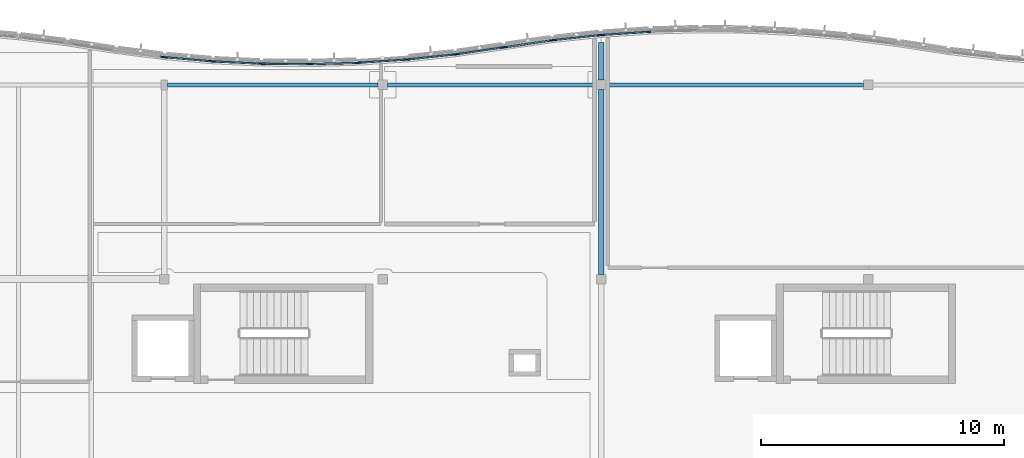
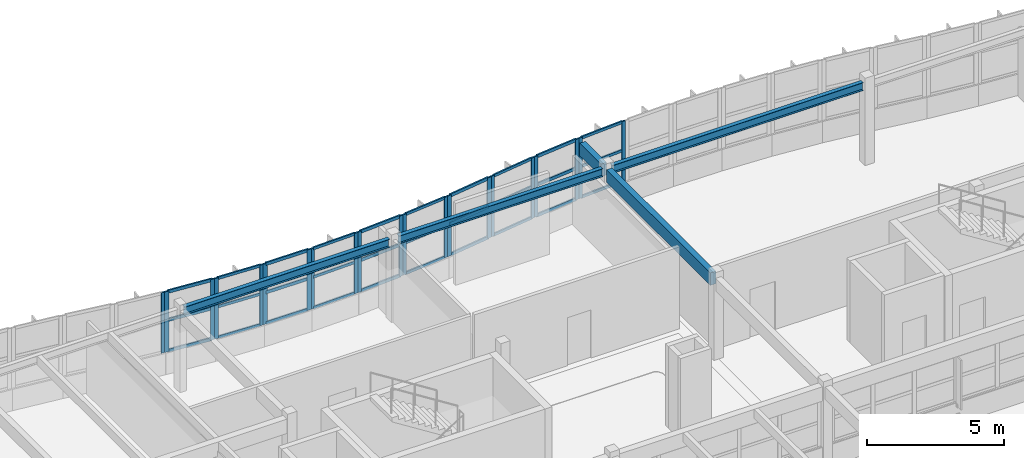
# One storey, part 22 of 63: 51 members, 5 beams, 11 elements without a shape of their own.
"""IFC4 building model written with IfcOpenShell, lengths in metres."""

from ifc_helpers import new_model, si_unit, direction, frame, origin, origin_2d, place, context, subcontext, project, spatial, rectangle, i_section, extrude, material, layer, layer_set, material_profile, profile_set, type_object, element, aggregate, save


model = new_model("IFC4")

# Units and contexts
model_context = context("Model", 3, precision=1e-05, world=origin(), true_north=direction((0.0, 1.0)))
body_context = subcontext(model_context, "Body", "Model", "MODEL_VIEW")
ifc_project = project(units=[si_unit("LENGTHUNIT", "METRE"), si_unit("AREAUNIT", "SQUARE_METRE"), si_unit("VOLUMEUNIT", "CUBIC_METRE"), si_unit("PLANEANGLEUNIT", "RADIAN"), si_unit("MASSUNIT", "GRAM", prefix="KILO")], contexts=[model_context])

# Site, building, storey
site_placement = place(None, origin())
site = spatial("IfcSite", under=ifc_project, at=site_placement, CompositionType="ELEMENT")
building_placement = place(site_placement, origin())
building = spatial("IfcBuilding", under=site, at=building_placement, Name="Tonlespit Floodbar School", CompositionType="ELEMENT")
storey_placement = place(building_placement, frame((0.0, 0.0, 8.39990234375)))
storey = spatial("IfcBuildingStorey", under=building, at=storey_placement, Name="L02", CompositionType="ELEMENT", Elevation=8.39990234375)

# Beams
ifc_material_1 = material(Name="Glulam GL28h", Category="wood")
ifc_material_profile_1 = material_profile(ifc_material_1, rectangle(XDim=0.239990234375, YDim=0.56005859375, at=origin_2d()), Name="GL 240x560")
ifc_profile_set_1 = profile_set([ifc_material_profile_1], Name="Glulam GL28h")
beam_type_1 = type_object("IfcBeamType", Name="Beam_GL_240x560", PredefinedType="BEAM", material=ifc_profile_set_1)
beam_1_placement = place(storey_placement, frame((116.0, 112.199951171875, 3.364990234375), z_axis=(0.0, 1.0, 0.0), x_axis=(-1.0, 0.0, 0.0)))
element("IfcBeam", 1, at=beam_1_placement, inside=storey, type_object=beam_type_1, Name="L02 girder 1047", PredefinedType="BEAM", context=body_context, shape_type="SweptSolid", body=[
    extrude(rectangle(XDim=0.239990234375, YDim=0.56005859375, at=origin_2d()), origin(), (0.0, 0.0, 1.0), 7.60009765625),
])
beam_2_placement = place(storey_placement, frame((116.0, 120.199951171875, 3.364990234375), z_axis=(0.0, 1.0, 0.0), x_axis=(-1.0, 0.0, 0.0)))
element("IfcBeam", 2, at=beam_2_placement, inside=storey, type_object=beam_type_1, Name="L02 north street wave cantilever bracket", PredefinedType="BEAM", context=body_context, shape_type="SweptSolid", body=[
    extrude(rectangle(XDim=0.239990234375, YDim=0.56005859375, at=origin_2d()), origin(), (0.0, 0.0, 1.0), 1.554443359375),
])

# Curtain wall, member
ifc_material_2 = material(Name="Anodised Aluminium", Category="aluminium")
ifc_layer_1 = layer(ifc_material_2, 0.159912109375)
ifc_layer_set_1 = layer_set([ifc_layer_1], Name="Anodised Aluminium")
curtain_wall_type_1 = type_object("IfcCurtainWallType", Name="CurtainWall_1950x2700", PredefinedType="NOTDEFINED", material=ifc_layer_set_1)
curtain_wall_1_placement = place(storey_placement, origin())
curtain_wall_1 = element("IfcCurtainWall", 3, at=curtain_wall_1_placement, inside=storey, type_object=curtain_wall_type_1, Name="L02 unitised curtain wall 0108", PredefinedType="NOTDEFINED")
ifc_material_profile_2 = material_profile(ifc_material_2, rectangle(XDim=0.06494140625, YDim=0.14990234375, at=origin_2d()), Name="ALU M65x150")
ifc_profile_set_2 = profile_set([ifc_material_profile_2], Name="Anodised Aluminium")
member_type_1 = type_object("IfcMemberType", Name="CW_Mullion_65x150", PredefinedType="MULLION", material=ifc_profile_set_2)
member_1_placement = place(storey_placement, frame((97.927978515625, 121.1513671875, 0.9501953125), z_axis=(0.0, 0.0, 1.0), x_axis=(0.125013803299, 0.992155002499, 0.0)))
member_1 = element("IfcMember", 4, at=member_1_placement, type_object=member_type_1, Name="CW-04 mullion 2", PredefinedType="MULLION", context=body_context, shape_type="SweptSolid", body=[
    extrude(rectangle(XDim=0.06494140625, YDim=0.14990234375, at=origin_2d()), origin(), (0.0, 0.0, 1.0), 2.699951171875),
])
aggregate(curtain_wall_1, [member_1])

# Curtain wall, members
ifc_layer_2 = layer(ifc_material_2, 0.159912109375)
ifc_layer_set_2 = layer_set([ifc_layer_2], Name="Anodised Aluminium")
curtain_wall_type_2 = type_object("IfcCurtainWallType", Name="CurtainWall_1900x2700", PredefinedType="NOTDEFINED", material=ifc_layer_set_2)
curtain_wall_2_placement = place(storey_placement, origin())
curtain_wall_2 = element("IfcCurtainWall", 5, at=curtain_wall_2_placement, inside=storey, type_object=curtain_wall_type_2, Name="L02 unitised curtain wall 0110", PredefinedType="NOTDEFINED")
member_2_placement = place(storey_placement, frame((100.072509765625, 120.965087890625, 0.9501953125), z_axis=(0.0, 0.0, 1.0), x_axis=(0.048121270216, 0.998841500616, 0.0)))
member_2 = element("IfcMember", 6, at=member_2_placement, type_object=member_type_1, Name="CW-05 mullion 1", PredefinedType="MULLION", context=body_context, shape_type="SweptSolid", body=[
    extrude(rectangle(XDim=0.06494140625, YDim=0.14990234375, at=origin_2d()), origin(), (0.0, 0.0, 1.0), 2.699951171875),
])
member_3_placement = place(storey_placement, frame((101.927490234375, 120.875732421875, 0.9501953125), z_axis=(0.0, 0.0, 1.0), x_axis=(0.048121270216, 0.998841500616, 0.0)))
member_3 = element("IfcMember", 7, at=member_3_placement, type_object=member_type_1, Name="CW-05 mullion 2", PredefinedType="MULLION", context=body_context, shape_type="SweptSolid", body=[
    extrude(rectangle(XDim=0.06494140625, YDim=0.14990234375, at=origin_2d()), origin(), (0.0, 0.0, 1.0), 2.699951171875),
])

curtain_wall_3_placement = place(storey_placement, origin())
curtain_wall_3 = element("IfcCurtainWall", 8, at=curtain_wall_3_placement, inside=storey, type_object=curtain_wall_type_2, Name="L02 unitised curtain wall 0112", PredefinedType="NOTDEFINED")
member_4_placement = place(storey_placement, frame((104.072509765625, 120.855224609375, 0.9501953125), z_axis=(0.0, 0.0, 1.0), x_axis=(-0.028790144226, 0.999585477883, 0.0)))
member_4 = element("IfcMember", 9, at=member_4_placement, type_object=member_type_1, Name="CW-05 mullion 1", PredefinedType="MULLION", context=body_context, shape_type="SweptSolid", body=[
    extrude(rectangle(XDim=0.06494140625, YDim=0.14990234375, at=origin_2d()), origin(), (0.0, 0.0, 1.0), 2.699951171875),
])
member_5_placement = place(storey_placement, frame((105.927490234375, 120.908447265625, 0.9501953125), z_axis=(0.0, 0.0, 1.0), x_axis=(-0.028790144226, 0.999585477883, 0.0)))
member_5 = element("IfcMember", 10, at=member_5_placement, type_object=member_type_1, Name="CW-05 mullion 2", PredefinedType="MULLION", context=body_context, shape_type="SweptSolid", body=[
    extrude(rectangle(XDim=0.06494140625, YDim=0.14990234375, at=origin_2d()), origin(), (0.0, 0.0, 1.0), 2.699951171875),
])

curtain_wall_4_placement = place(storey_placement, origin())
curtain_wall_4 = element("IfcCurtainWall", 11, at=curtain_wall_4_placement, inside=storey, type_object=curtain_wall_type_1, Name="L02 unitised curtain wall 0114", PredefinedType="NOTDEFINED")
member_6_placement = place(storey_placement, frame((108.072021484375, 121.05322265625, 0.9501953125), z_axis=(0.0, 0.0, 1.0), x_axis=(-0.105787143968, 0.994388797288, 0.0)))
member_6 = element("IfcMember", 12, at=member_6_placement, type_object=member_type_1, Name="CW-04 mullion 1", PredefinedType="MULLION", context=body_context, shape_type="SweptSolid", body=[
    extrude(rectangle(XDim=0.06494140625, YDim=0.14990234375, at=origin_2d()), origin(), (0.0, 0.0, 1.0), 2.699951171875),
])
member_7_placement = place(storey_placement, frame((109.927978515625, 121.250732421875, 0.9501953125), z_axis=(0.0, 0.0, 1.0), x_axis=(-0.105787143968, 0.994388797288, 0.0)))
member_7 = element("IfcMember", 13, at=member_7_placement, type_object=member_type_1, Name="CW-04 mullion 2", PredefinedType="MULLION", context=body_context, shape_type="SweptSolid", body=[
    extrude(rectangle(XDim=0.06494140625, YDim=0.14990234375, at=origin_2d()), origin(), (0.0, 0.0, 1.0), 2.699951171875),
])

curtain_wall_5_placement = place(storey_placement, origin())
curtain_wall_5 = element("IfcCurtainWall", 14, at=curtain_wall_5_placement, inside=storey, type_object=curtain_wall_type_1, Name="L02 unitised curtain wall 0116", PredefinedType="NOTDEFINED")
member_8_placement = place(storey_placement, frame((112.07177734375, 121.560546875, 0.9501953125), z_axis=(0.0, 0.0, 1.0), x_axis=(-0.144248041079, 0.989541561858, 0.0)))
member_8 = element("IfcMember", 15, at=member_8_placement, type_object=member_type_1, Name="CW-04 mullion 1", PredefinedType="MULLION", context=body_context, shape_type="SweptSolid", body=[
    extrude(rectangle(XDim=0.06494140625, YDim=0.14990234375, at=origin_2d()), origin(), (0.0, 0.0, 1.0), 2.699951171875),
])
member_9_placement = place(storey_placement, frame((113.92822265625, 121.8310546875, 0.9501953125), z_axis=(0.0, 0.0, 1.0), x_axis=(-0.144248041079, 0.989541561858, 0.0)))
member_9 = element("IfcMember", 16, at=member_9_placement, type_object=member_type_1, Name="CW-04 mullion 2", PredefinedType="MULLION", context=body_context, shape_type="SweptSolid", body=[
    extrude(rectangle(XDim=0.06494140625, YDim=0.14990234375, at=origin_2d()), origin(), (0.0, 0.0, 1.0), 2.699951171875),
])

curtain_wall_6_placement = place(storey_placement, origin())
curtain_wall_6 = element("IfcCurtainWall", 17, at=curtain_wall_6_placement, inside=storey, type_object=curtain_wall_type_1, Name="L02 unitised curtain wall 0414", PredefinedType="NOTDEFINED")
member_10_placement = place(storey_placement, frame((116.072265625, 122.05908203125, 0.9501953125), z_axis=(0.0, 0.0, 1.0), x_axis=(-0.066934862638, 0.997757347336, 0.0)))
member_10 = element("IfcMember", 18, at=member_10_placement, type_object=member_type_1, Name="CW-04 mullion 1", PredefinedType="MULLION", context=body_context, shape_type="SweptSolid", body=[
    extrude(rectangle(XDim=0.06494140625, YDim=0.14990234375, at=origin_2d()), origin(), (0.0, 0.0, 1.0), 2.699951171875),
])
member_11_placement = place(storey_placement, frame((117.966064453125, 122.186279296875, 0.9501953125), z_axis=(0.0, 0.0, 1.0), x_axis=(-0.066934862638, 0.997757347336, 0.0)))
member_11 = element("IfcMember", 19, at=member_11_placement, type_object=member_type_1, Name="CW-04 mullion 2", PredefinedType="MULLION", context=body_context, shape_type="SweptSolid", body=[
    extrude(rectangle(XDim=0.06494140625, YDim=0.14990234375, at=origin_2d()), origin(), (0.0, 0.0, 1.0), 2.699951171875),
])

curtain_wall_7_placement = place(storey_placement, origin())
curtain_wall_7 = element("IfcCurtainWall", 20, at=curtain_wall_7_placement, inside=storey, type_object=curtain_wall_type_1, Name="L02 unitised curtain wall 0109", PredefinedType="NOTDEFINED")
ifc_material_profile_3 = material_profile(ifc_material_2, rectangle(XDim=0.06494140625, YDim=0.179931640625, at=origin_2d()), Name="ALU M65x180")
ifc_profile_set_3 = profile_set([ifc_material_profile_3], Name="Anodised Aluminium")
member_type_2 = type_object("IfcMemberType", Name="CW_Mullion_65x180", PredefinedType="MULLION", material=ifc_profile_set_3)
member_12_placement = place(storey_placement, frame((98.072265625, 121.135986328125, 0.9501953125), z_axis=(0.0, 0.0, 1.0), x_axis=(0.086531117454, 0.996249148412, 0.0)))
member_12 = element("IfcMember", 21, at=member_12_placement, type_object=member_type_2, Name="CW-04 mullion 1", PredefinedType="MULLION", context=body_context, shape_type="SweptSolid", body=[
    extrude(rectangle(XDim=0.06494140625, YDim=0.179931640625, at=origin_2d()), origin(), (0.0, 0.0, 1.0), 2.699951171875),
])
member_13_placement = place(storey_placement, frame((99.927734375, 120.974853515625, 0.9501953125), z_axis=(0.0, 0.0, 1.0), x_axis=(0.086531117454, 0.996249148412, 0.0)))
member_13 = element("IfcMember", 22, at=member_13_placement, type_object=member_type_2, Name="CW-04 mullion 2", PredefinedType="MULLION", context=body_context, shape_type="SweptSolid", body=[
    extrude(rectangle(XDim=0.06494140625, YDim=0.179931640625, at=origin_2d()), origin(), (0.0, 0.0, 1.0), 2.699951171875),
])

curtain_wall_8_placement = place(storey_placement, origin())
curtain_wall_8 = element("IfcCurtainWall", 23, at=curtain_wall_8_placement, inside=storey, type_object=curtain_wall_type_2, Name="L02 unitised curtain wall 0111", PredefinedType="NOTDEFINED")
member_14_placement = place(storey_placement, frame((102.072509765625, 120.87158203125, 0.9501953125), z_axis=(0.0, 0.0, 1.0), x_axis=(0.009582893292, 0.999954083024, 0.0)))
member_14 = element("IfcMember", 24, at=member_14_placement, type_object=member_type_2, Name="CW-05 mullion 1", PredefinedType="MULLION", context=body_context, shape_type="SweptSolid", body=[
    extrude(rectangle(XDim=0.06494140625, YDim=0.179931640625, at=origin_2d()), origin(), (0.0, 0.0, 1.0), 2.699951171875),
])
member_15_placement = place(storey_placement, frame((103.927490234375, 120.853759765625, 0.9501953125), z_axis=(0.0, 0.0, 1.0), x_axis=(0.009582893292, 0.999954083024, 0.0)))
member_15 = element("IfcMember", 25, at=member_15_placement, type_object=member_type_2, Name="CW-05 mullion 2", PredefinedType="MULLION", context=body_context, shape_type="SweptSolid", body=[
    extrude(rectangle(XDim=0.06494140625, YDim=0.179931640625, at=origin_2d()), origin(), (0.0, 0.0, 1.0), 2.699951171875),
])

curtain_wall_9_placement = place(storey_placement, origin())
curtain_wall_9 = element("IfcCurtainWall", 26, at=curtain_wall_9_placement, inside=storey, type_object=curtain_wall_type_2, Name="L02 unitised curtain wall 0113", PredefinedType="NOTDEFINED")
member_16_placement = place(storey_placement, frame((106.072265625, 120.91552734375, 0.9501953125), z_axis=(0.0, 0.0, 1.0), x_axis=(-0.067339767311, 0.99773010165, 0.0)))
member_16 = element("IfcMember", 27, at=member_16_placement, type_object=member_type_2, Name="CW-05 mullion 1", PredefinedType="MULLION", context=body_context, shape_type="SweptSolid", body=[
    extrude(rectangle(XDim=0.06494140625, YDim=0.179931640625, at=origin_2d()), origin(), (0.0, 0.0, 1.0), 2.699951171875),
])
member_17_placement = place(storey_placement, frame((107.927734375, 121.040771484375, 0.9501953125), z_axis=(0.0, 0.0, 1.0), x_axis=(-0.067339767311, 0.99773010165, 0.0)))
member_17 = element("IfcMember", 28, at=member_17_placement, type_object=member_type_2, Name="CW-05 mullion 2", PredefinedType="MULLION", context=body_context, shape_type="SweptSolid", body=[
    extrude(rectangle(XDim=0.06494140625, YDim=0.179931640625, at=origin_2d()), origin(), (0.0, 0.0, 1.0), 2.699951171875),
])

curtain_wall_10_placement = place(storey_placement, origin())
curtain_wall_10 = element("IfcCurtainWall", 29, at=curtain_wall_10_placement, inside=storey, type_object=curtain_wall_type_1, Name="L02 unitised curtain wall 0115", PredefinedType="NOTDEFINED")
member_18_placement = place(storey_placement, frame((110.07177734375, 121.268798828125, 0.9501953125), z_axis=(0.0, 0.0, 1.0), x_axis=(-0.144248041079, 0.989541561858, 0.0)))
member_18 = element("IfcMember", 30, at=member_18_placement, type_object=member_type_2, Name="CW-04 mullion 1", PredefinedType="MULLION", context=body_context, shape_type="SweptSolid", body=[
    extrude(rectangle(XDim=0.06494140625, YDim=0.179931640625, at=origin_2d()), origin(), (0.0, 0.0, 1.0), 2.699951171875),
])
member_19_placement = place(storey_placement, frame((111.92822265625, 121.53955078125, 0.9501953125), z_axis=(0.0, 0.0, 1.0), x_axis=(-0.144248041079, 0.989541561858, 0.0)))
member_19 = element("IfcMember", 31, at=member_19_placement, type_object=member_type_2, Name="CW-04 mullion 2", PredefinedType="MULLION", context=body_context, shape_type="SweptSolid", body=[
    extrude(rectangle(XDim=0.06494140625, YDim=0.179931640625, at=origin_2d()), origin(), (0.0, 0.0, 1.0), 2.699951171875),
])

curtain_wall_11_placement = place(storey_placement, origin())
curtain_wall_11 = element("IfcCurtainWall", 32, at=curtain_wall_11_placement, inside=storey, type_object=curtain_wall_type_1, Name="L02 unitised curtain wall 0117", PredefinedType="NOTDEFINED")
member_20_placement = place(storey_placement, frame((114.072021484375, 121.84912109375, 0.9501953125), z_axis=(0.0, 0.0, 1.0), x_axis=(-0.105787143968, 0.994388797288, 0.0)))
member_20 = element("IfcMember", 33, at=member_20_placement, type_object=member_type_2, Name="CW-04 mullion 1", PredefinedType="MULLION", context=body_context, shape_type="SweptSolid", body=[
    extrude(rectangle(XDim=0.06494140625, YDim=0.179931640625, at=origin_2d()), origin(), (0.0, 0.0, 1.0), 2.699951171875),
])
member_21_placement = place(storey_placement, frame((115.927978515625, 122.046630859375, 0.9501953125), z_axis=(0.0, 0.0, 1.0), x_axis=(-0.105787143968, 0.994388797288, 0.0)))
member_21 = element("IfcMember", 34, at=member_21_placement, type_object=member_type_2, Name="CW-04 mullion 2", PredefinedType="MULLION", context=body_context, shape_type="SweptSolid", body=[
    extrude(rectangle(XDim=0.06494140625, YDim=0.179931640625, at=origin_2d()), origin(), (0.0, 0.0, 1.0), 2.699951171875),
])

# Member
ifc_material_profile_4 = material_profile(ifc_material_2, rectangle(XDim=0.06494140625, YDim=0.1201171875, at=origin_2d()), Name="ALU T65x120")
ifc_profile_set_4 = profile_set([ifc_material_profile_4], Name="Anodised Aluminium")
member_type_3 = type_object("IfcMemberType", Name="CW_Transom_65x120", PredefinedType="USERDEFINED", material=ifc_profile_set_4)
member_22_placement = place(storey_placement, frame((100.10498046875, 120.96337890625, 0.982666015625), z_axis=(0.998843034795, -0.048089415069, 0.0), x_axis=(0.048089415069, 0.998843034795, 0.0)))
member_22 = element("IfcMember", 35, at=member_22_placement, type_object=member_type_3, Name="CW-05 transom 1.1", ObjectType="TRANSOM", PredefinedType="USERDEFINED", context=body_context, shape_type="SweptSolid", body=[
    extrude(rectangle(XDim=0.06494140625, YDim=0.1201171875, at=origin_2d()), origin(), (0.0, 0.0, 1.0), 1.7919921875),
])

member_23_placement = place(storey_placement, frame((100.10498046875, 120.96337890625, 2.35400390625), z_axis=(0.998843034795, -0.048089415069, 0.0), x_axis=(0.048089415069, 0.998843034795, 0.0)))
member_23 = element("IfcMember", 36, at=member_23_placement, type_object=member_type_3, Name="CW-05 transom 1.2", ObjectType="TRANSOM", PredefinedType="USERDEFINED", context=body_context, shape_type="SweptSolid", body=[
    extrude(rectangle(XDim=0.06494140625, YDim=0.1201171875, at=origin_2d()), origin(), (0.0, 0.0, 1.0), 1.7919921875),
])

member_24_placement = place(storey_placement, frame((100.10498046875, 120.96337890625, 3.61767578125), z_axis=(0.998843034795, -0.048089415069, 0.0), x_axis=(0.048089415069, 0.998843034795, 0.0)))
member_24 = element("IfcMember", 37, at=member_24_placement, type_object=member_type_3, Name="CW-05 transom 1.3", ObjectType="TRANSOM", PredefinedType="USERDEFINED", context=body_context, shape_type="SweptSolid", body=[
    extrude(rectangle(XDim=0.06494140625, YDim=0.1201171875, at=origin_2d()), origin(), (0.0, 0.0, 1.0), 1.7919921875),
])

aggregate(curtain_wall_2, [member_2, member_3, member_22, member_23, member_24])

member_25_placement = place(storey_placement, frame((104.10498046875, 120.85595703125, 0.982666015625), z_axis=(0.999582242166, 0.028902268868, 0.0), x_axis=(-0.028902268868, 0.999582242166, 0.0)))
member_25 = element("IfcMember", 38, at=member_25_placement, type_object=member_type_3, Name="CW-05 transom 1.1", ObjectType="TRANSOM", PredefinedType="USERDEFINED", context=body_context, shape_type="SweptSolid", body=[
    extrude(rectangle(XDim=0.06494140625, YDim=0.1201171875, at=origin_2d()), origin(), (0.0, 0.0, 1.0), 1.790771484375),
])

member_26_placement = place(storey_placement, frame((104.10498046875, 120.85595703125, 2.35400390625), z_axis=(0.999582242166, 0.028902268868, 0.0), x_axis=(-0.028902268868, 0.999582242166, 0.0)))
member_26 = element("IfcMember", 39, at=member_26_placement, type_object=member_type_3, Name="CW-05 transom 1.2", ObjectType="TRANSOM", PredefinedType="USERDEFINED", context=body_context, shape_type="SweptSolid", body=[
    extrude(rectangle(XDim=0.06494140625, YDim=0.1201171875, at=origin_2d()), origin(), (0.0, 0.0, 1.0), 1.790771484375),
])

member_27_placement = place(storey_placement, frame((104.10498046875, 120.85595703125, 3.61767578125), z_axis=(0.999582242166, 0.028902268868, 0.0), x_axis=(-0.028902268868, 0.999582242166, 0.0)))
member_27 = element("IfcMember", 40, at=member_27_placement, type_object=member_type_3, Name="CW-05 transom 1.3", ObjectType="TRANSOM", PredefinedType="USERDEFINED", context=body_context, shape_type="SweptSolid", body=[
    extrude(rectangle(XDim=0.06494140625, YDim=0.1201171875, at=origin_2d()), origin(), (0.0, 0.0, 1.0), 1.790771484375),
])

aggregate(curtain_wall_3, [member_4, member_5, member_25, member_26, member_27])

member_28_placement = place(storey_placement, frame((108.1044921875, 121.056884765625, 0.982666015625), z_axis=(0.994394979136, 0.105729019047, 0.0), x_axis=(-0.105729019047, 0.994394979136, 0.0)))
member_28 = element("IfcMember", 41, at=member_28_placement, type_object=member_type_3, Name="CW-04 transom 1.1", ObjectType="TRANSOM", PredefinedType="USERDEFINED", context=body_context, shape_type="SweptSolid", body=[
    extrude(rectangle(XDim=0.06494140625, YDim=0.1201171875, at=origin_2d()), origin(), (0.0, 0.0, 1.0), 1.801025390625),
])

member_29_placement = place(storey_placement, frame((108.1044921875, 121.056884765625, 2.35400390625), z_axis=(0.994394979136, 0.105729019047, 0.0), x_axis=(-0.105729019047, 0.994394979136, 0.0)))
member_29 = element("IfcMember", 42, at=member_29_placement, type_object=member_type_3, Name="CW-04 transom 1.2", ObjectType="TRANSOM", PredefinedType="USERDEFINED", context=body_context, shape_type="SweptSolid", body=[
    extrude(rectangle(XDim=0.06494140625, YDim=0.1201171875, at=origin_2d()), origin(), (0.0, 0.0, 1.0), 1.801025390625),
])

member_30_placement = place(storey_placement, frame((108.1044921875, 121.056884765625, 3.61767578125), z_axis=(0.994394979136, 0.105729019047, 0.0), x_axis=(-0.105729019047, 0.994394979136, 0.0)))
member_30 = element("IfcMember", 43, at=member_30_placement, type_object=member_type_3, Name="CW-04 transom 1.3", ObjectType="TRANSOM", PredefinedType="USERDEFINED", context=body_context, shape_type="SweptSolid", body=[
    extrude(rectangle(XDim=0.06494140625, YDim=0.1201171875, at=origin_2d()), origin(), (0.0, 0.0, 1.0), 1.801025390625),
])

aggregate(curtain_wall_4, [member_6, member_7, member_28, member_29, member_30])

member_31_placement = place(storey_placement, frame((112.10400390625, 121.565185546875, 0.982666015625), z_axis=(0.989541000818, 0.144251889765, 0.0), x_axis=(-0.144251889765, 0.989541000818, 0.0)))
member_31 = element("IfcMember", 44, at=member_31_placement, type_object=member_type_3, Name="CW-04 transom 1.1", ObjectType="TRANSOM", PredefinedType="USERDEFINED", context=body_context, shape_type="SweptSolid", body=[
    extrude(rectangle(XDim=0.06494140625, YDim=0.1201171875, at=origin_2d()), origin(), (0.0, 0.0, 1.0), 1.81103515625),
])

member_32_placement = place(storey_placement, frame((112.10400390625, 121.565185546875, 2.35400390625), z_axis=(0.989541000818, 0.144251889765, 0.0), x_axis=(-0.144251889765, 0.989541000818, 0.0)))
member_32 = element("IfcMember", 45, at=member_32_placement, type_object=member_type_3, Name="CW-04 transom 1.2", ObjectType="TRANSOM", PredefinedType="USERDEFINED", context=body_context, shape_type="SweptSolid", body=[
    extrude(rectangle(XDim=0.06494140625, YDim=0.1201171875, at=origin_2d()), origin(), (0.0, 0.0, 1.0), 1.81103515625),
])

member_33_placement = place(storey_placement, frame((112.10400390625, 121.565185546875, 3.61767578125), z_axis=(0.989541000818, 0.144251889765, 0.0), x_axis=(-0.144251889765, 0.989541000818, 0.0)))
member_33 = element("IfcMember", 46, at=member_33_placement, type_object=member_type_3, Name="CW-04 transom 1.3", ObjectType="TRANSOM", PredefinedType="USERDEFINED", context=body_context, shape_type="SweptSolid", body=[
    extrude(rectangle(XDim=0.06494140625, YDim=0.1201171875, at=origin_2d()), origin(), (0.0, 0.0, 1.0), 1.81103515625),
])

aggregate(curtain_wall_5, [member_8, member_9, member_31, member_32, member_33])

member_34_placement = place(storey_placement, frame((116.104736328125, 122.061279296875, 0.982666015625), z_axis=(0.997753816364, 0.066987475925, 0.0), x_axis=(-0.066987475925, 0.997753816364, 0.0)))
member_34 = element("IfcMember", 47, at=member_34_placement, type_object=member_type_3, Name="CW-04 transom 1.1", ObjectType="TRANSOM", PredefinedType="USERDEFINED", context=body_context, shape_type="SweptSolid", body=[
    extrude(rectangle(XDim=0.06494140625, YDim=0.1201171875, at=origin_2d()), origin(), (0.0, 0.0, 1.0), 1.833251953125),
])

member_35_placement = place(storey_placement, frame((116.104736328125, 122.061279296875, 2.35400390625), z_axis=(0.997753816364, 0.066987475925, 0.0), x_axis=(-0.066987475925, 0.997753816364, 0.0)))
member_35 = element("IfcMember", 48, at=member_35_placement, type_object=member_type_3, Name="CW-04 transom 1.2", ObjectType="TRANSOM", PredefinedType="USERDEFINED", context=body_context, shape_type="SweptSolid", body=[
    extrude(rectangle(XDim=0.06494140625, YDim=0.1201171875, at=origin_2d()), origin(), (0.0, 0.0, 1.0), 1.833251953125),
])

member_36_placement = place(storey_placement, frame((116.104736328125, 122.061279296875, 3.61767578125), z_axis=(0.997753816364, 0.066987475925, 0.0), x_axis=(-0.066987475925, 0.997753816364, 0.0)))
member_36 = element("IfcMember", 49, at=member_36_placement, type_object=member_type_3, Name="CW-04 transom 1.3", ObjectType="TRANSOM", PredefinedType="USERDEFINED", context=body_context, shape_type="SweptSolid", body=[
    extrude(rectangle(XDim=0.06494140625, YDim=0.1201171875, at=origin_2d()), origin(), (0.0, 0.0, 1.0), 1.833251953125),
])

aggregate(curtain_wall_6, [member_10, member_11, member_34, member_35, member_36])

ifc_material_profile_5 = material_profile(ifc_material_2, rectangle(XDim=0.06494140625, YDim=0.139892578125, at=origin_2d()), Name="ALU T65x140")
ifc_profile_set_5 = profile_set([ifc_material_profile_5], Name="Anodised Aluminium")
member_type_4 = type_object("IfcMemberType", Name="CW_Transom_65x140", PredefinedType="USERDEFINED", material=ifc_profile_set_5)
member_37_placement = place(storey_placement, frame((98.1044921875, 121.133056640625, 0.982666015625), z_axis=(0.996251281774, -0.086506552139, 0.0), x_axis=(0.086506552139, 0.996251281774, 0.0)))
member_37 = element("IfcMember", 50, at=member_37_placement, type_object=member_type_4, Name="CW-04 transom 1.1", ObjectType="TRANSOM", PredefinedType="USERDEFINED", context=body_context, shape_type="SweptSolid", body=[
    extrude(rectangle(XDim=0.06494140625, YDim=0.139892578125, at=origin_2d()), origin(), (0.0, 0.0, 1.0), 1.7978515625),
])

member_38_placement = place(storey_placement, frame((98.1044921875, 121.133056640625, 2.35400390625), z_axis=(0.996251281774, -0.086506552139, 0.0), x_axis=(0.086506552139, 0.996251281774, 0.0)))
member_38 = element("IfcMember", 51, at=member_38_placement, type_object=member_type_4, Name="CW-04 transom 1.2", ObjectType="TRANSOM", PredefinedType="USERDEFINED", context=body_context, shape_type="SweptSolid", body=[
    extrude(rectangle(XDim=0.06494140625, YDim=0.139892578125, at=origin_2d()), origin(), (0.0, 0.0, 1.0), 1.7978515625),
])

member_39_placement = place(storey_placement, frame((98.1044921875, 121.133056640625, 3.61767578125), z_axis=(0.996251281774, -0.086506552139, 0.0), x_axis=(0.086506552139, 0.996251281774, 0.0)))
member_39 = element("IfcMember", 52, at=member_39_placement, type_object=member_type_4, Name="CW-04 transom 1.3", ObjectType="TRANSOM", PredefinedType="USERDEFINED", context=body_context, shape_type="SweptSolid", body=[
    extrude(rectangle(XDim=0.06494140625, YDim=0.139892578125, at=origin_2d()), origin(), (0.0, 0.0, 1.0), 1.7978515625),
])

aggregate(curtain_wall_7, [member_12, member_13, member_37, member_38, member_39])

member_40_placement = place(storey_placement, frame((102.10498046875, 120.87109375, 0.982666015625), z_axis=(0.999954428693, -0.00954675532, 0.0), x_axis=(0.00954675532, 0.999954428693, 0.0)))
member_40 = element("IfcMember", 53, at=member_40_placement, type_object=member_type_4, Name="CW-05 transom 1.1", ObjectType="TRANSOM", PredefinedType="USERDEFINED", context=body_context, shape_type="SweptSolid", body=[
    extrude(rectangle(XDim=0.06494140625, YDim=0.139892578125, at=origin_2d()), origin(), (0.0, 0.0, 1.0), 1.7900390625),
])

member_41_placement = place(storey_placement, frame((102.10498046875, 120.87109375, 2.35400390625), z_axis=(0.999954428693, -0.00954675532, 0.0), x_axis=(0.00954675532, 0.999954428693, 0.0)))
member_41 = element("IfcMember", 54, at=member_41_placement, type_object=member_type_4, Name="CW-05 transom 1.2", ObjectType="TRANSOM", PredefinedType="USERDEFINED", context=body_context, shape_type="SweptSolid", body=[
    extrude(rectangle(XDim=0.06494140625, YDim=0.139892578125, at=origin_2d()), origin(), (0.0, 0.0, 1.0), 1.7900390625),
])

member_42_placement = place(storey_placement, frame((102.10498046875, 120.87109375, 3.61767578125), z_axis=(0.999954428693, -0.00954675532, 0.0), x_axis=(0.00954675532, 0.999954428693, 0.0)))
member_42 = element("IfcMember", 55, at=member_42_placement, type_object=member_type_4, Name="CW-05 transom 1.3", ObjectType="TRANSOM", PredefinedType="USERDEFINED", context=body_context, shape_type="SweptSolid", body=[
    extrude(rectangle(XDim=0.06494140625, YDim=0.139892578125, at=origin_2d()), origin(), (0.0, 0.0, 1.0), 1.7900390625),
])

aggregate(curtain_wall_8, [member_14, member_15, member_40, member_41, member_42])

member_43_placement = place(storey_placement, frame((106.104736328125, 120.917724609375, 0.982666015625), z_axis=(0.997730041674, 0.067340655935, 0.0), x_axis=(-0.067340655935, 0.997730041674, 0.0)))
member_43 = element("IfcMember", 56, at=member_43_placement, type_object=member_type_4, Name="CW-05 transom 1.1", ObjectType="TRANSOM", PredefinedType="USERDEFINED", context=body_context, shape_type="SweptSolid", body=[
    extrude(rectangle(XDim=0.06494140625, YDim=0.139892578125, at=origin_2d()), origin(), (0.0, 0.0, 1.0), 1.794677734375),
])

member_44_placement = place(storey_placement, frame((106.104736328125, 120.917724609375, 2.35400390625), z_axis=(0.997730041674, 0.067340655935, 0.0), x_axis=(-0.067340655935, 0.997730041674, 0.0)))
member_44 = element("IfcMember", 57, at=member_44_placement, type_object=member_type_4, Name="CW-05 transom 1.2", ObjectType="TRANSOM", PredefinedType="USERDEFINED", context=body_context, shape_type="SweptSolid", body=[
    extrude(rectangle(XDim=0.06494140625, YDim=0.139892578125, at=origin_2d()), origin(), (0.0, 0.0, 1.0), 1.794677734375),
])

member_45_placement = place(storey_placement, frame((106.104736328125, 120.917724609375, 3.61767578125), z_axis=(0.997730041674, 0.067340655935, 0.0), x_axis=(-0.067340655935, 0.997730041674, 0.0)))
member_45 = element("IfcMember", 58, at=member_45_placement, type_object=member_type_4, Name="CW-05 transom 1.3", ObjectType="TRANSOM", PredefinedType="USERDEFINED", context=body_context, shape_type="SweptSolid", body=[
    extrude(rectangle(XDim=0.06494140625, YDim=0.139892578125, at=origin_2d()), origin(), (0.0, 0.0, 1.0), 1.794677734375),
])

aggregate(curtain_wall_9, [member_16, member_17, member_43, member_44, member_45])

member_46_placement = place(storey_placement, frame((110.10400390625, 121.273681640625, 0.982666015625), z_axis=(0.989541000818, 0.144251889765, 0.0), x_axis=(-0.144251889765, 0.989541000818, 0.0)))
member_46 = element("IfcMember", 59, at=member_46_placement, type_object=member_type_4, Name="CW-04 transom 1.1", ObjectType="TRANSOM", PredefinedType="USERDEFINED", context=body_context, shape_type="SweptSolid", body=[
    extrude(rectangle(XDim=0.06494140625, YDim=0.139892578125, at=origin_2d()), origin(), (0.0, 0.0, 1.0), 1.81103515625),
])

member_47_placement = place(storey_placement, frame((110.10400390625, 121.273681640625, 2.35400390625), z_axis=(0.989541000818, 0.144251889765, 0.0), x_axis=(-0.144251889765, 0.989541000818, 0.0)))
member_47 = element("IfcMember", 60, at=member_47_placement, type_object=member_type_4, Name="CW-04 transom 1.2", ObjectType="TRANSOM", PredefinedType="USERDEFINED", context=body_context, shape_type="SweptSolid", body=[
    extrude(rectangle(XDim=0.06494140625, YDim=0.139892578125, at=origin_2d()), origin(), (0.0, 0.0, 1.0), 1.81103515625),
])

member_48_placement = place(storey_placement, frame((110.10400390625, 121.273681640625, 3.61767578125), z_axis=(0.989541000818, 0.144251889765, 0.0), x_axis=(-0.144251889765, 0.989541000818, 0.0)))
member_48 = element("IfcMember", 61, at=member_48_placement, type_object=member_type_4, Name="CW-04 transom 1.3", ObjectType="TRANSOM", PredefinedType="USERDEFINED", context=body_context, shape_type="SweptSolid", body=[
    extrude(rectangle(XDim=0.06494140625, YDim=0.139892578125, at=origin_2d()), origin(), (0.0, 0.0, 1.0), 1.81103515625),
])

aggregate(curtain_wall_10, [member_18, member_19, member_46, member_47, member_48])

member_49_placement = place(storey_placement, frame((114.1044921875, 121.852783203125, 0.982666015625), z_axis=(0.994394979136, 0.105729019047, 0.0), x_axis=(-0.105729019047, 0.994394979136, 0.0)))
member_49 = element("IfcMember", 62, at=member_49_placement, type_object=member_type_4, Name="CW-04 transom 1.1", ObjectType="TRANSOM", PredefinedType="USERDEFINED", context=body_context, shape_type="SweptSolid", body=[
    extrude(rectangle(XDim=0.06494140625, YDim=0.139892578125, at=origin_2d()), origin(), (0.0, 0.0, 1.0), 1.801025390625),
])

member_50_placement = place(storey_placement, frame((114.1044921875, 121.852783203125, 2.35400390625), z_axis=(0.994394979136, 0.105729019047, 0.0), x_axis=(-0.105729019047, 0.994394979136, 0.0)))
member_50 = element("IfcMember", 63, at=member_50_placement, type_object=member_type_4, Name="CW-04 transom 1.2", ObjectType="TRANSOM", PredefinedType="USERDEFINED", context=body_context, shape_type="SweptSolid", body=[
    extrude(rectangle(XDim=0.06494140625, YDim=0.139892578125, at=origin_2d()), origin(), (0.0, 0.0, 1.0), 1.801025390625),
])

member_51_placement = place(storey_placement, frame((114.1044921875, 121.852783203125, 3.61767578125), z_axis=(0.994394979136, 0.105729019047, 0.0), x_axis=(-0.105729019047, 0.994394979136, 0.0)))
member_51 = element("IfcMember", 64, at=member_51_placement, type_object=member_type_4, Name="CW-04 transom 1.3", ObjectType="TRANSOM", PredefinedType="USERDEFINED", context=body_context, shape_type="SweptSolid", body=[
    extrude(rectangle(XDim=0.06494140625, YDim=0.139892578125, at=origin_2d()), origin(), (0.0, 0.0, 1.0), 1.801025390625),
])

aggregate(curtain_wall_11, [member_20, member_21, member_49, member_50, member_51])

# Beams
ifc_material_3 = material(Name="Steel S355", Category="steel")
ifc_material_profile_6 = material_profile(ifc_material_3, i_section(OverallWidth=0.169921875, OverallDepth=0.360107421875, WebThickness=0.008056640625, FlangeThickness=0.0126953125, at=origin_2d()), Name="IPE 360")
ifc_profile_set_6 = profile_set([ifc_material_profile_6], Name="Steel S355")
beam_type_2 = type_object("IfcBeamType", Name="Spandrel_STL_IPE360", PredefinedType="SPANDREL", material=ifc_profile_set_6)
beam_3_placement = place(storey_placement, frame((98.139892578125, 120.0, 3.47021484375), z_axis=(1.0, 0.0, 0.0), x_axis=(0.0, 1.0, 0.0)))
element("IfcBeam", 65, at=beam_3_placement, inside=storey, type_object=beam_type_2, Name="L02 girder 0989", PredefinedType="SPANDREL", context=body_context, shape_type="SweptSolid", body=[
    extrude(i_section(OverallWidth=0.169921875, OverallDepth=0.360107421875, WebThickness=0.008056640625, FlangeThickness=0.0126953125, at=origin_2d()), origin(), (0.0, 0.0, 1.0), 8.66015625),
])
beam_4_placement = place(storey_placement, frame((107.199951171875, 120.0, 3.47021484375), z_axis=(1.0, 0.0, 0.0), x_axis=(0.0, 1.0, 0.0)))
element("IfcBeam", 66, at=beam_4_placement, inside=storey, type_object=beam_type_2, Name="L02 girder 0990", PredefinedType="SPANDREL", context=body_context, shape_type="SweptSolid", body=[
    extrude(i_section(OverallWidth=0.169921875, OverallDepth=0.360107421875, WebThickness=0.008056640625, FlangeThickness=0.0126953125, at=origin_2d()), origin(), (0.0, 0.0, 1.0), 8.60009765625),
])
beam_5_placement = place(storey_placement, frame((116.199951171875, 120.0, 3.465087890625), z_axis=(1.0, 0.0, 0.0), x_axis=(0.0, 1.0, 0.0)))
element("IfcBeam", 67, at=beam_5_placement, inside=storey, type_object=beam_type_2, Name="L02 girder 0991", PredefinedType="SPANDREL", context=body_context, shape_type="SweptSolid", body=[
    extrude(i_section(OverallWidth=0.169921875, OverallDepth=0.360107421875, WebThickness=0.008056640625, FlangeThickness=0.0126953125, at=origin_2d()), origin(), (0.0, 0.0, 1.0), 10.60009765625),
])

save(model, "model.ifc")
